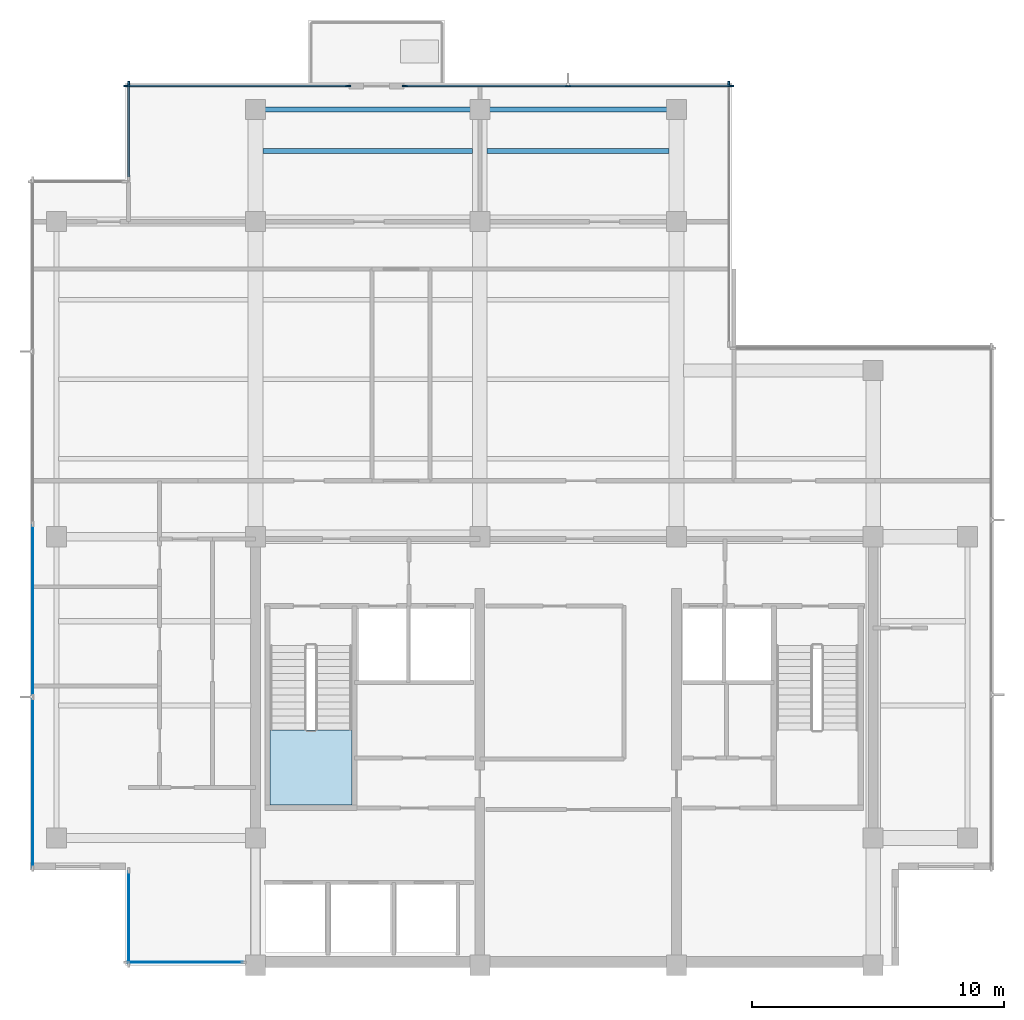
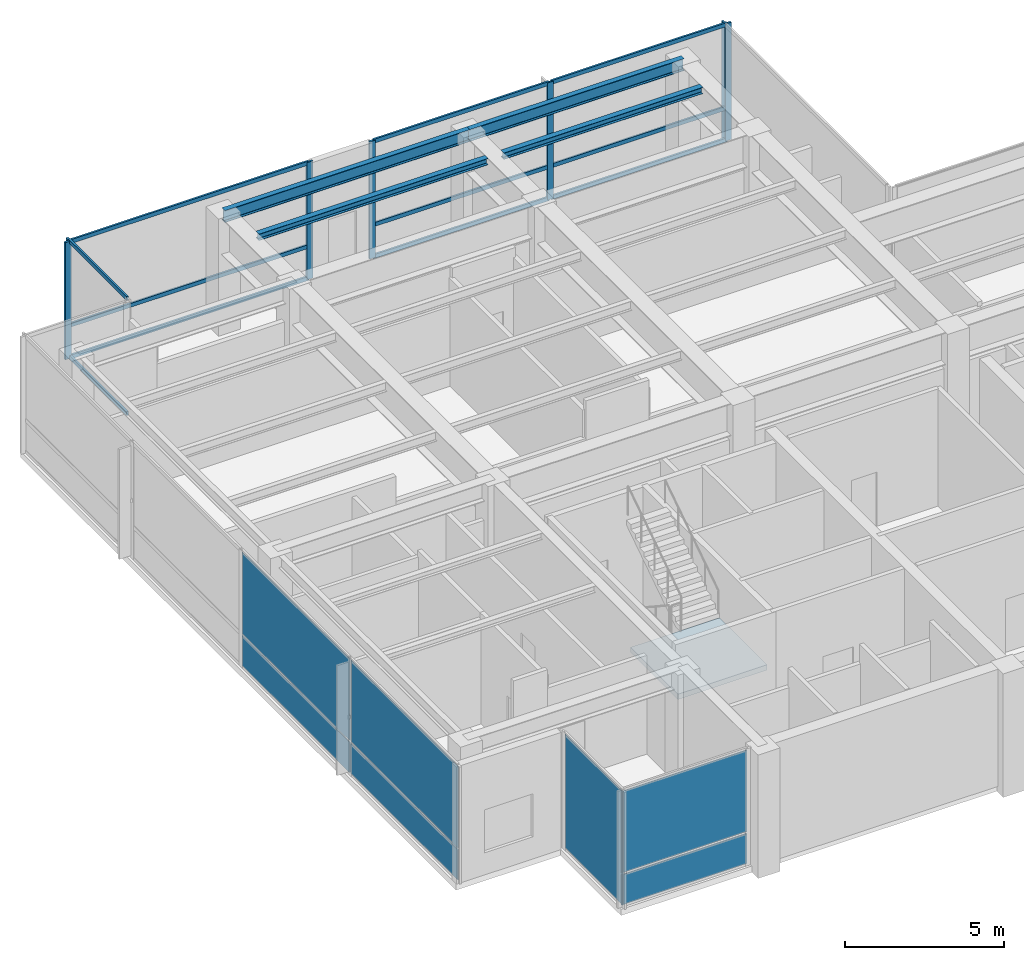
# One storey, part 4 of 11: 18 members, 7 plates, 4 beams, 1 slab, 8 elements without a shape of their own.
"""IFC4 building model written with IfcOpenShell, lengths in metres."""

from ifc_helpers import new_model, si_unit, direction, frame, origin, origin_2d, place, context, subcontext, project, spatial, polyline, rectangle, i_section, outline, extrude, material, layer, layer_set, material_profile, profile_set, type_object, element, aggregate, save


model = new_model("IFC4")

# Units and contexts
model_context = context("Model", 3, precision=1e-05, world=origin(), true_north=direction((0.0, 1.0)))
body_context = subcontext(model_context, "Body", "Model", "MODEL_VIEW")
ifc_project = project(units=[si_unit("LENGTHUNIT", "METRE"), si_unit("AREAUNIT", "SQUARE_METRE"), si_unit("VOLUMEUNIT", "CUBIC_METRE"), si_unit("PLANEANGLEUNIT", "RADIAN"), si_unit("MASSUNIT", "GRAM", prefix="KILO")], contexts=[model_context])

# Site, building, storey
site_placement = place(None, origin())
site = spatial("IfcSite", under=ifc_project, at=site_placement, CompositionType="ELEMENT")
building_placement = place(site_placement, origin())
building = spatial("IfcBuilding", under=site, at=building_placement, Name="Qalmaran Belvedere Hotel", CompositionType="ELEMENT")
storey_placement = place(building_placement, frame((0.0, 0.0, 293.89990234375)))
storey = spatial("IfcBuildingStorey", under=building, at=storey_placement, Name="L76", CompositionType="ELEMENT", Elevation=293.89990234375)

# Beams
ifc_material_1 = material(Name="Steel S355JR", Category="steel")
ifc_material_profile_1 = material_profile(ifc_material_1, i_section(OverallWidth=0.201904296875, OverallDepth=0.2470703125, WebThickness=0.00732421875, FlangeThickness=0.010986328125, FilletRadius=0.011962890625, at=origin_2d()), Name="W250X49")
ifc_profile_set_1 = profile_set([ifc_material_profile_1], Name="Steel S355JR")
beam_type_1 = type_object("IfcBeamType", Name="BM-JST-W250X49", PredefinedType="JOIST", material=ifc_profile_set_1)
beam_1_placement = place(storey_placement, frame((20.587890625, 35.800048828125, 4.376708984375), z_axis=(1.0, 0.0, 0.0), x_axis=(0.0, 1.0, 0.0)))
element("IfcBeam", 1, at=beam_1_placement, inside=storey, type_object=beam_type_1, Name="L76 North Floor Joist 039", PredefinedType="JOIST", context=body_context, shape_type="SweptSolid", body=[
    extrude(i_section(OverallWidth=0.201904296875, OverallDepth=0.2470703125, WebThickness=0.00732421875, FlangeThickness=0.010986328125, FilletRadius=0.011962890625, at=origin_2d()), origin(), (0.0, 0.0, 1.0), 8.32421875),
])
beam_2_placement = place(storey_placement, frame((29.488037109375, 35.800048828125, 4.376708984375), z_axis=(1.0, 0.0, 0.0), x_axis=(0.0, 1.0, 0.0)))
element("IfcBeam", 2, at=beam_2_placement, inside=storey, type_object=beam_type_1, Name="L76 North Floor Joist 040", PredefinedType="JOIST", context=body_context, shape_type="SweptSolid", body=[
    extrude(i_section(OverallWidth=0.201904296875, OverallDepth=0.2470703125, WebThickness=0.00732421875, FlangeThickness=0.010986328125, FilletRadius=0.011962890625, at=origin_2d()), origin(), (0.0, 0.0, 1.0), 7.223876953125),
])
ifc_material_profile_2 = material_profile(ifc_material_1, i_section(OverallWidth=0.19189453125, OverallDepth=0.462890625, WebThickness=0.010498046875, FlangeThickness=0.017578125, FilletRadius=0.01611328125, at=origin_2d()), Name="W460X89")
ifc_profile_set_2 = profile_set([ifc_material_profile_2], Name="Steel S355JR")
beam_type_2 = type_object("IfcBeamType", Name="BM-SP2-W460X89", PredefinedType="SPANDREL", material=ifc_profile_set_2)
beam_3_placement = place(storey_placement, frame((20.300048828125, 37.449951171875, 4.2685546875), z_axis=(1.0, 0.0, 0.0), x_axis=(0.0, 1.0, 0.0)))
element("IfcBeam", 3, at=beam_3_placement, inside=storey, type_object=beam_type_2, Name="L76 Perimeter Spandrel 04", PredefinedType="SPANDREL", context=body_context, shape_type="SweptSolid", body=[
    extrude(i_section(OverallWidth=0.19189453125, OverallDepth=0.462890625, WebThickness=0.010498046875, FlangeThickness=0.017578125, FilletRadius=0.01611328125, at=origin_2d()), origin(), (0.0, 0.0, 1.0), 8.89990234375),
])
beam_4_placement = place(storey_placement, frame((29.199951171875, 37.449951171875, 4.2685546875), z_axis=(1.0, 0.0, 0.0), x_axis=(0.0, 1.0, 0.0)))
element("IfcBeam", 4, at=beam_4_placement, inside=storey, type_object=beam_type_2, Name="L76 Perimeter Spandrel 05", PredefinedType="SPANDREL", context=body_context, shape_type="SweptSolid", body=[
    extrude(i_section(OverallWidth=0.19189453125, OverallDepth=0.462890625, WebThickness=0.010498046875, FlangeThickness=0.017578125, FilletRadius=0.01611328125, at=origin_2d()), origin(), (0.0, 0.0, 1.0), 7.800048828125),
])

# Curtain wall, member
ifc_material_2 = material(Name="Anodised Bronze Aluminium", Category="aluminium")
ifc_layer_1 = layer(ifc_material_2, 0.205078125, Name="Anodised Bronze Aluminium")
ifc_layer_set_1 = layer_set([ifc_layer_1], Name="Anodised Bronze Aluminium")
curtain_wall_type = type_object("IfcCurtainWallType", Name="CW7-CROWN-BELVEDERE", PredefinedType="NOTDEFINED", material=ifc_layer_set_1)
curtain_wall_1_placement = place(storey_placement, origin())
curtain_wall_1 = element("IfcCurtainWall", 5, at=curtain_wall_1_placement, inside=storey, type_object=curtain_wall_type, Name="L76 Curtain Wall CW7", PredefinedType="NOTDEFINED")
ifc_material_profile_3 = material_profile(ifc_material_2, rectangle(XDim=0.074951171875, YDim=0.219970703125, at=origin_2d()), Name="CWM75X220")
ifc_profile_set_3 = profile_set([ifc_material_profile_3], Name="Anodised Bronze Aluminium")
member_type_1 = type_object("IfcMemberType", Name="CWM-75X220", PredefinedType="MULLION", material=ifc_profile_set_3)
member_1_placement = place(storey_placement, frame((39.080078125, 38.46240234375, 0.0), z_axis=(0.0, 0.0, 1.0), x_axis=(-1.0, 0.0, 0.0)))
member_1 = element("IfcMember", 6, at=member_1_placement, type_object=member_type_1, Name="CW7 mullion 2", PredefinedType="MULLION", context=body_context, shape_type="SweptSolid", body=[
    extrude(rectangle(XDim=0.074951171875, YDim=0.219970703125, at=origin_2d()), origin(), (0.0, 0.0, 1.0), 4.5),
])
aggregate(curtain_wall_1, [member_1])

# Curtain wall, members
curtain_wall_2_placement = place(storey_placement, origin())
curtain_wall_2 = element("IfcCurtainWall", 7, at=curtain_wall_2_placement, inside=storey, type_object=curtain_wall_type, Name="L76 Curtain Wall CW7", PredefinedType="NOTDEFINED")
member_2_placement = place(storey_placement, frame((23.96240234375, 38.3798828125, 0.0), z_axis=(0.0, 0.0, 1.0), x_axis=(0.0, -1.0, 0.0)))
member_2 = element("IfcMember", 8, at=member_2_placement, type_object=member_type_1, Name="CW7 mullion 1", PredefinedType="MULLION", context=body_context, shape_type="SweptSolid", body=[
    extrude(rectangle(XDim=0.074951171875, YDim=0.219970703125, at=origin_2d()), origin(), (0.0, 0.0, 1.0), 4.5),
])
member_3_placement = place(storey_placement, frame((15.1875, 38.3798828125, 0.0), z_axis=(0.0, 0.0, 1.0), x_axis=(0.0, -1.0, 0.0)))
member_3 = element("IfcMember", 9, at=member_3_placement, type_object=member_type_1, Name="CW7 mullion 2", PredefinedType="MULLION", context=body_context, shape_type="SweptSolid", body=[
    extrude(rectangle(XDim=0.074951171875, YDim=0.219970703125, at=origin_2d()), origin(), (0.0, 0.0, 1.0), 4.5),
])

curtain_wall_3_placement = place(storey_placement, origin())
curtain_wall_3 = element("IfcCurtainWall", 10, at=curtain_wall_3_placement, inside=storey, type_object=curtain_wall_type, Name="L76 Curtain Wall CW7", PredefinedType="NOTDEFINED")
member_4_placement = place(storey_placement, frame((39.16259765625, 38.3798828125, 0.0), z_axis=(0.0, 0.0, 1.0), x_axis=(0.0, -1.0, 0.0)))
member_4 = element("IfcMember", 11, at=member_4_placement, type_object=member_type_1, Name="CW7 mullion 1", PredefinedType="MULLION", context=body_context, shape_type="SweptSolid", body=[
    extrude(rectangle(XDim=0.074951171875, YDim=0.219970703125, at=origin_2d()), origin(), (0.0, 0.0, 1.0), 4.5),
])
member_5_placement = place(storey_placement, frame((32.699951171875, 38.3798828125, 0.0), z_axis=(0.0, 0.0, 1.0), x_axis=(0.0, -1.0, 0.0)))
member_5 = element("IfcMember", 12, at=member_5_placement, type_object=member_type_1, Name="CW7 mullion 2", PredefinedType="MULLION", context=body_context, shape_type="SweptSolid", body=[
    extrude(rectangle(XDim=0.074951171875, YDim=0.219970703125, at=origin_2d()), origin(), (0.0, 0.0, 1.0), 4.5),
])
member_6_placement = place(storey_placement, frame((26.237548828125, 38.3798828125, 0.0), z_axis=(0.0, 0.0, 1.0), x_axis=(0.0, -1.0, 0.0)))
member_6 = element("IfcMember", 13, at=member_6_placement, type_object=member_type_1, Name="CW7 mullion 3", PredefinedType="MULLION", context=body_context, shape_type="SweptSolid", body=[
    extrude(rectangle(XDim=0.074951171875, YDim=0.219970703125, at=origin_2d()), origin(), (0.0, 0.0, 1.0), 4.5),
])

# Curtain wall, member
curtain_wall_4_placement = place(storey_placement, origin())
curtain_wall_4 = element("IfcCurtainWall", 14, at=curtain_wall_4_placement, inside=storey, type_object=curtain_wall_type, Name="L76 Curtain Wall CW7", PredefinedType="NOTDEFINED")
member_7_placement = place(storey_placement, frame((15.27001953125, 38.46240234375, 0.0), z_axis=(0.0, 0.0, 1.0), x_axis=(1.0, 0.0, 0.0)))
member_7 = element("IfcMember", 15, at=member_7_placement, type_object=member_type_1, Name="CW7 mullion 1", PredefinedType="MULLION", context=body_context, shape_type="SweptSolid", body=[
    extrude(rectangle(XDim=0.074951171875, YDim=0.219970703125, at=origin_2d()), origin(), (0.0, 0.0, 1.0), 4.5),
])

# Member
ifc_material_profile_4 = material_profile(ifc_material_2, rectangle(XDim=0.070068359375, YDim=0.14990234375, at=origin_2d()), Name="CWT70X150")
ifc_profile_set_4 = profile_set([ifc_material_profile_4], Name="Anodised Bronze Aluminium")
member_type_2 = type_object("IfcMemberType", Name="CWT-70X150", PredefinedType="USERDEFINED", material=ifc_profile_set_4)
member_8_placement = place(storey_placement, frame((23.925048828125, 38.3798828125, 0.03515625), z_axis=(-1.0, 0.0, 0.0), x_axis=(0.0, -1.0, 0.0)))
member_8 = element("IfcMember", 16, at=member_8_placement, type_object=member_type_2, Name="CW7 transom 1.1", ObjectType="TRANSOM", PredefinedType="USERDEFINED", context=body_context, shape_type="SweptSolid", body=[
    extrude(rectangle(XDim=0.070068359375, YDim=0.14990234375, at=origin_2d()), origin(), (0.0, 0.0, 1.0), 8.699951171875),
])

member_9_placement = place(storey_placement, frame((23.925048828125, 38.3798828125, 1.260009765625), z_axis=(-1.0, 0.0, 0.0), x_axis=(0.0, -1.0, 0.0)))
member_9 = element("IfcMember", 17, at=member_9_placement, type_object=member_type_2, Name="CW7 transom 1.2", ObjectType="TRANSOM", PredefinedType="USERDEFINED", context=body_context, shape_type="SweptSolid", body=[
    extrude(rectangle(XDim=0.070068359375, YDim=0.14990234375, at=origin_2d()), origin(), (0.0, 0.0, 1.0), 8.699951171875),
])

member_10_placement = place(storey_placement, frame((23.925048828125, 38.3798828125, 4.465087890625), z_axis=(-1.0, 0.0, 0.0), x_axis=(0.0, -1.0, 0.0)))
member_10 = element("IfcMember", 18, at=member_10_placement, type_object=member_type_2, Name="CW7 transom 1.3", ObjectType="TRANSOM", PredefinedType="USERDEFINED", context=body_context, shape_type="SweptSolid", body=[
    extrude(rectangle(XDim=0.070068359375, YDim=0.14990234375, at=origin_2d()), origin(), (0.0, 0.0, 1.0), 8.699951171875),
])

aggregate(curtain_wall_2, [member_2, member_3, member_8, member_9, member_10])

member_11_placement = place(storey_placement, frame((39.125, 38.3798828125, 0.03515625), z_axis=(-1.0, 0.0, 0.0), x_axis=(0.0, -1.0, 0.0)))
member_11 = element("IfcMember", 19, at=member_11_placement, type_object=member_type_2, Name="CW7 transom 1.1", ObjectType="TRANSOM", PredefinedType="USERDEFINED", context=body_context, shape_type="SweptSolid", body=[
    extrude(rectangle(XDim=0.070068359375, YDim=0.14990234375, at=origin_2d()), origin(), (0.0, 0.0, 1.0), 6.387451171875),
])

member_12_placement = place(storey_placement, frame((39.125, 38.3798828125, 1.260009765625), z_axis=(-1.0, 0.0, 0.0), x_axis=(0.0, -1.0, 0.0)))
member_12 = element("IfcMember", 20, at=member_12_placement, type_object=member_type_2, Name="CW7 transom 1.2", ObjectType="TRANSOM", PredefinedType="USERDEFINED", context=body_context, shape_type="SweptSolid", body=[
    extrude(rectangle(XDim=0.070068359375, YDim=0.14990234375, at=origin_2d()), origin(), (0.0, 0.0, 1.0), 6.387451171875),
])

member_13_placement = place(storey_placement, frame((39.125, 38.3798828125, 4.465087890625), z_axis=(-1.0, 0.0, 0.0), x_axis=(0.0, -1.0, 0.0)))
member_13 = element("IfcMember", 21, at=member_13_placement, type_object=member_type_2, Name="CW7 transom 1.3", ObjectType="TRANSOM", PredefinedType="USERDEFINED", context=body_context, shape_type="SweptSolid", body=[
    extrude(rectangle(XDim=0.070068359375, YDim=0.14990234375, at=origin_2d()), origin(), (0.0, 0.0, 1.0), 6.387451171875),
])

member_14_placement = place(storey_placement, frame((32.66259765625, 38.3798828125, 0.03515625), z_axis=(-1.0, 0.0, 0.0), x_axis=(0.0, -1.0, 0.0)))
member_14 = element("IfcMember", 22, at=member_14_placement, type_object=member_type_2, Name="CW7 transom 2.1", ObjectType="TRANSOM", PredefinedType="USERDEFINED", context=body_context, shape_type="SweptSolid", body=[
    extrude(rectangle(XDim=0.070068359375, YDim=0.14990234375, at=origin_2d()), origin(), (0.0, 0.0, 1.0), 6.3876953125),
])

member_15_placement = place(storey_placement, frame((32.66259765625, 38.3798828125, 1.260009765625), z_axis=(-1.0, 0.0, 0.0), x_axis=(0.0, -1.0, 0.0)))
member_15 = element("IfcMember", 23, at=member_15_placement, type_object=member_type_2, Name="CW7 transom 2.2", ObjectType="TRANSOM", PredefinedType="USERDEFINED", context=body_context, shape_type="SweptSolid", body=[
    extrude(rectangle(XDim=0.070068359375, YDim=0.14990234375, at=origin_2d()), origin(), (0.0, 0.0, 1.0), 6.3876953125),
])

member_16_placement = place(storey_placement, frame((32.66259765625, 38.3798828125, 4.465087890625), z_axis=(-1.0, 0.0, 0.0), x_axis=(0.0, -1.0, 0.0)))
member_16 = element("IfcMember", 24, at=member_16_placement, type_object=member_type_2, Name="CW7 transom 2.3", ObjectType="TRANSOM", PredefinedType="USERDEFINED", context=body_context, shape_type="SweptSolid", body=[
    extrude(rectangle(XDim=0.070068359375, YDim=0.14990234375, at=origin_2d()), origin(), (0.0, 0.0, 1.0), 6.3876953125),
])

aggregate(curtain_wall_3, [member_4, member_5, member_6, member_11, member_12, member_13, member_14, member_15, member_16])

member_17_placement = place(storey_placement, frame((15.27001953125, 38.425048828125, 0.03515625), z_axis=(0.0, -1.0, 0.0), x_axis=(1.0, 0.0, 0.0)))
member_17 = element("IfcMember", 25, at=member_17_placement, type_object=member_type_2, Name="CW7 transom 1.1", ObjectType="TRANSOM", PredefinedType="USERDEFINED", context=body_context, shape_type="SweptSolid", body=[
    extrude(rectangle(XDim=0.070068359375, YDim=0.14990234375, at=origin_2d()), origin(), (0.0, 0.0, 1.0), 3.650146484375),
])

member_18_placement = place(storey_placement, frame((15.27001953125, 38.425048828125, 4.465087890625), z_axis=(0.0, -1.0, 0.0), x_axis=(1.0, 0.0, 0.0)))
member_18 = element("IfcMember", 26, at=member_18_placement, type_object=member_type_2, Name="CW7 transom 1.2", ObjectType="TRANSOM", PredefinedType="USERDEFINED", context=body_context, shape_type="SweptSolid", body=[
    extrude(rectangle(XDim=0.070068359375, YDim=0.14990234375, at=origin_2d()), origin(), (0.0, 0.0, 1.0), 3.650146484375),
])

aggregate(curtain_wall_4, [member_7, member_17, member_18])

# Curtain wall, plate
curtain_wall_5_placement = place(storey_placement, origin())
curtain_wall_5 = element("IfcCurtainWall", 27, at=curtain_wall_5_placement, inside=storey, type_object=curtain_wall_type, Name="L76 Curtain Wall CW7", PredefinedType="NOTDEFINED")
ifc_material_3 = material(Name="Anodised Bronze Spandrel Panel")
ifc_layer_2 = layer(ifc_material_3, 0.035888671875, Name="Anodised Bronze Spandrel Panel")
ifc_layer_set_2 = layer_set([ifc_layer_2], Name="Anodised Bronze Spandrel Panel")
plate_type_1 = type_object("IfcPlateType", Name="CWP-SPANDREL-36", PredefinedType="CURTAIN_PANEL", material=ifc_layer_set_2)
plate_1_placement = place(storey_placement, frame((17.5048828125, 3.6201171875, 0.0703125), z_axis=(0.0, 0.0, 1.0), x_axis=(1.0, 0.0, 0.0)))
plate_1 = element("IfcPlate", 28, at=plate_1_placement, type_object=plate_type_1, Name="CW7 panel 1.1", PredefinedType="CURTAIN_PANEL", context=body_context, shape_type="SweptSolid", body=[
    extrude(rectangle(XDim=4.56005859375, YDim=0.035888671875, at=origin_2d()), origin(), (0.0, 0.0, 1.0), 1.155029296875),
])

# Curtain wall, plates
curtain_wall_6_placement = place(storey_placement, origin())
curtain_wall_6 = element("IfcCurtainWall", 29, at=curtain_wall_6_placement, inside=storey, type_object=curtain_wall_type, Name="L76 Curtain Wall CW7", PredefinedType="NOTDEFINED")
plate_2_placement = place(storey_placement, frame((11.469970703125, 17.574951171875, 0.0703125), z_axis=(0.0, 0.0, 1.0), x_axis=(0.0, -1.0, 0.0)))
plate_2 = element("IfcPlate", 30, at=plate_2_placement, type_object=plate_type_1, Name="CW7 panel 3.1", PredefinedType="CURTAIN_PANEL", context=body_context, shape_type="SweptSolid", body=[
    extrude(rectangle(XDim=6.77490234375, YDim=0.035888671875, at=origin_2d()), origin(), (0.0, 0.0, 1.0), 1.155029296875),
])
plate_3_placement = place(storey_placement, frame((11.469970703125, 10.74365234375, 0.0703125), z_axis=(0.0, 0.0, 1.0), x_axis=(0.0, -1.0, 0.0)))
plate_3 = element("IfcPlate", 31, at=plate_3_placement, type_object=plate_type_1, Name="CW7 panel 4.1", PredefinedType="CURTAIN_PANEL", context=body_context, shape_type="SweptSolid", body=[
    extrude(rectangle(XDim=6.737548828125, YDim=0.035888671875, at=origin_2d()), origin(), (0.0, 0.0, 1.0), 1.155029296875),
])

# Plate
ifc_material_4 = material(Name="Solar-Control Double Glazing", Category="glass")
ifc_layer_3 = layer(ifc_material_4, 0.028076171875, Name="Solar-Control Double Glazing")
ifc_layer_set_3 = layer_set([ifc_layer_3], Name="Solar-Control Double Glazing")
plate_type_2 = type_object("IfcPlateType", Name="CWP-VISION-28", PredefinedType="CURTAIN_PANEL", material=ifc_layer_set_3)
plate_4_placement = place(storey_placement, frame((17.5048828125, 3.6201171875, 1.294921875), z_axis=(0.0, 0.0, 1.0), x_axis=(1.0, 0.0, 0.0)))
plate_4 = element("IfcPlate", 32, at=plate_4_placement, type_object=plate_type_2, Name="CW7 panel 1.2", PredefinedType="CURTAIN_PANEL", context=body_context, shape_type="SweptSolid", body=[
    extrude(rectangle(XDim=4.56005859375, YDim=0.028076171875, at=origin_2d()), origin(), (0.0, 0.0, 1.0), 3.135009765625),
])

aggregate(curtain_wall_5, [plate_1, plate_4])

plate_5_placement = place(storey_placement, frame((11.469970703125, 17.574951171875, 1.294921875), z_axis=(0.0, 0.0, 1.0), x_axis=(0.0, -1.0, 0.0)))
plate_5 = element("IfcPlate", 33, at=plate_5_placement, type_object=plate_type_2, Name="CW7 panel 3.2", PredefinedType="CURTAIN_PANEL", context=body_context, shape_type="SweptSolid", body=[
    extrude(rectangle(XDim=6.77490234375, YDim=0.028076171875, at=origin_2d()), origin(), (0.0, 0.0, 1.0), 3.135009765625),
])

plate_6_placement = place(storey_placement, frame((11.469970703125, 10.74365234375, 1.294921875), z_axis=(0.0, 0.0, 1.0), x_axis=(0.0, -1.0, 0.0)))
plate_6 = element("IfcPlate", 34, at=plate_6_placement, type_object=plate_type_2, Name="CW7 panel 4.2", PredefinedType="CURTAIN_PANEL", context=body_context, shape_type="SweptSolid", body=[
    extrude(rectangle(XDim=6.737548828125, YDim=0.028076171875, at=origin_2d()), origin(), (0.0, 0.0, 1.0), 3.135009765625),
])

aggregate(curtain_wall_6, [plate_2, plate_5, plate_3, plate_6])

# Curtain wall, plate
curtain_wall_7_placement = place(storey_placement, origin())
curtain_wall_7 = element("IfcCurtainWall", 35, at=curtain_wall_7_placement, inside=storey, type_object=curtain_wall_type, Name="L76 Curtain Wall CW7", PredefinedType="NOTDEFINED")
plate_7_placement = place(storey_placement, frame((15.27001953125, 5.39990234375, 0.06982421875), z_axis=(0.0, 0.0, 1.0), x_axis=(0.0, -1.0, 0.0)))
plate_7 = element("IfcPlate", 36, at=plate_7_placement, type_object=plate_type_2, Name="CW7 panel 1.1", PredefinedType="CURTAIN_PANEL", context=body_context, shape_type="SweptSolid", body=[
    extrude(rectangle(XDim=3.64990234375, YDim=0.028076171875, at=origin_2d()), origin(), (0.0, 0.0, 1.0), 4.360107421875),
])
aggregate(curtain_wall_7, [plate_7])

# Stair, slab
ifc_material_5 = material(Name="Concrete C40/50", Category="concrete")
stair_type = type_object("IfcStairType", Name="STR-ST-1-1450-R1846", PredefinedType="HALF_TURN_STAIR", material=ifc_material_5)
stair_placement = place(storey_placement, origin())
stair = element("IfcStair", 37, at=stair_placement, inside=storey, type_object=stair_type, Name="L76 West Core Exit Stair ST-1", PredefinedType="HALF_TURN_STAIR")
ifc_layer_4 = layer(ifc_material_5, 0.199951171875, Name="Concrete C40/50")
ifc_layer_set_4 = layer_set([ifc_layer_4], Name="Concrete C40/50")
slab_type = type_object("IfcSlabType", Name="SLB-STAIR-LANDING-200", PredefinedType="LANDING", material=ifc_layer_set_4)
slab_placement = place(storey_placement, frame((0.0, 0.0, 2.2001953125)))
slab = element("IfcSlab", 38, at=slab_placement, type_object=slab_type, Name="ST-1 landing 1", PredefinedType="LANDING", context=body_context, shape_type="SweptSolid", body=[
    extrude(outline(polyline([(20.8798828125, 12.830078125), (20.8798828125, 9.85009765625), (24.1201171875, 9.85009765625), (24.1201171875, 12.830078125), (20.8798828125, 12.830078125)])), origin(), (0.0, 0.0, 1.0), 0.199951171875),
])
aggregate(stair, [slab])

save(model, "model.ifc")
